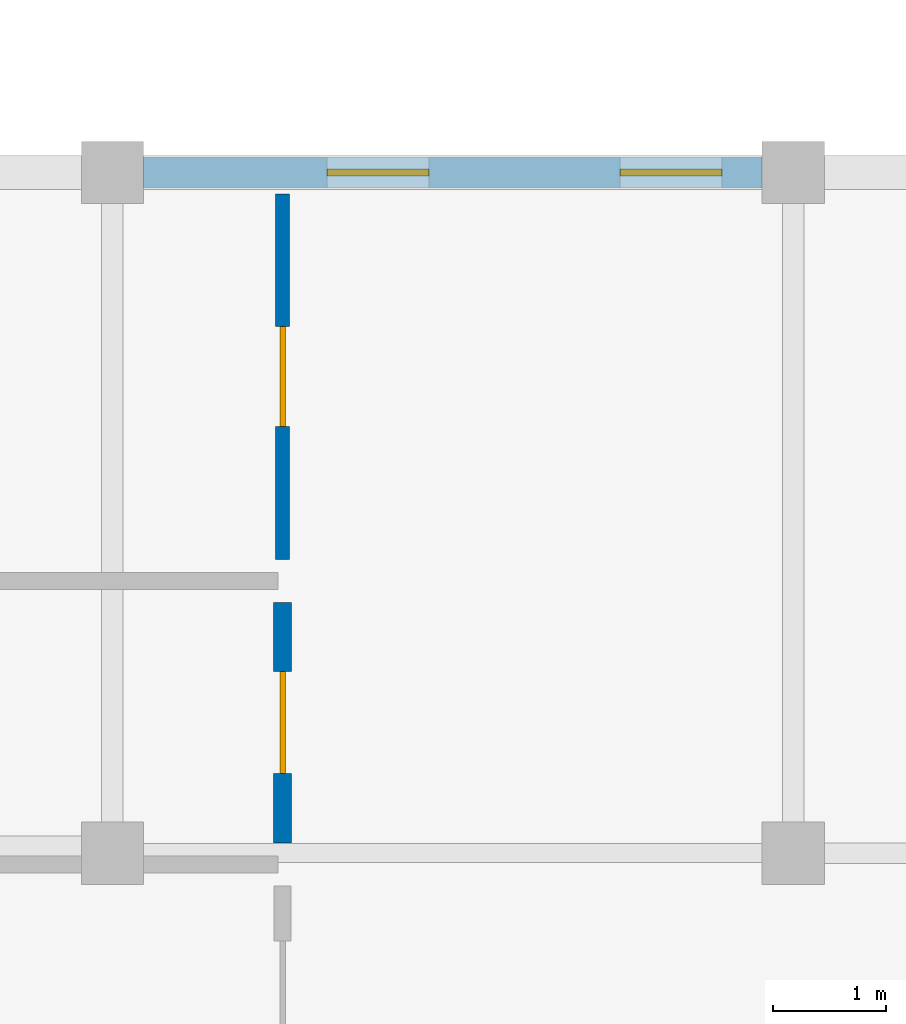
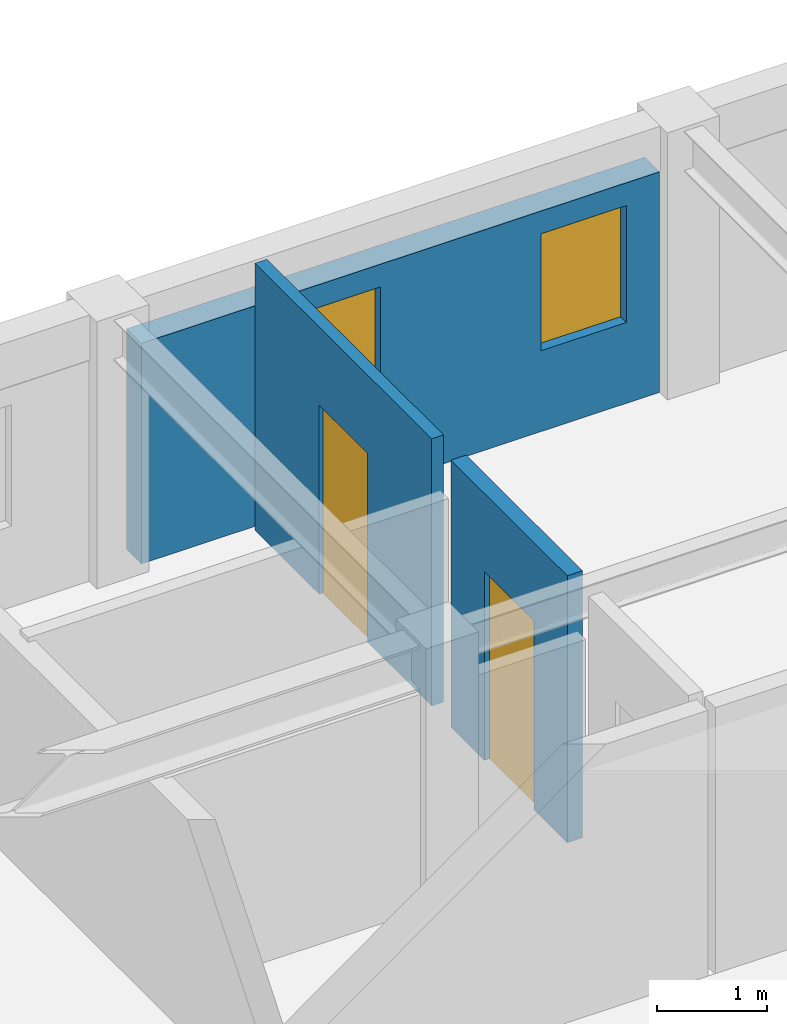
# One storey, part 33 of 58: 3 walls, 2 doors, 2 windows, 4 openings.
"""IFC4 building model written with IfcOpenShell, lengths in metres."""

from ifc_helpers import new_model, si_unit, direction, frame, frame_2d, origin, place, context, subcontext, project, spatial, rectangle, extrude, material, layer, layer_set, type_object, element, fill, save


model = new_model("IFC4")

# Units and contexts
model_context = context("Model", 3, precision=1e-05, world=origin(), true_north=direction((0.0, 1.0)))
body_context = subcontext(model_context, "Body", "Model", "MODEL_VIEW")
ifc_project = project(units=[si_unit("LENGTHUNIT", "METRE"), si_unit("AREAUNIT", "SQUARE_METRE"), si_unit("VOLUMEUNIT", "CUBIC_METRE"), si_unit("PLANEANGLEUNIT", "RADIAN"), si_unit("MASSUNIT", "GRAM", prefix="KILO"), si_unit("POWERUNIT", "WATT"), si_unit("THERMODYNAMICTEMPERATUREUNIT", "KELVIN")], contexts=[model_context])

# Site, building, storey
site_placement = place(None, origin())
site = spatial("IfcSite", under=ifc_project, at=site_placement, CompositionType="ELEMENT")
building_placement = place(site_placement, origin())
building = spatial("IfcBuilding", under=site, at=building_placement, Name="Ruvembo Vaulted Housing Court", CompositionType="ELEMENT")
storey_placement = place(building_placement, frame((0.0, 0.0, 20.5)))
storey = spatial("IfcBuildingStorey", under=building, at=storey_placement, Name="L06", CompositionType="ELEMENT", Elevation=20.5)

# Wall, openings, windows
ifc_material_1 = material(Name="Rendered Masonry 270", Category="masonry")
ifc_layer_1 = layer(ifc_material_1, 0.27001953125, Name="Rendered Masonry 270")
ifc_layer_set_1 = layer_set([ifc_layer_1], Name="Rendered Masonry 270")
wall_type_1 = type_object("IfcWallType", Name="WL-EXT-270", PredefinedType="STANDARD", material=ifc_layer_set_1)
wall_1_placement = place(storey_placement, frame((125.72509765625, 30.0, 0.0), z_axis=(0.0, 0.0, 1.0), x_axis=(-1.0, 0.0, 0.0)))
wall_1 = element("IfcWall", 1, at=wall_1_placement, inside=storey, type_object=wall_type_1, Name="Block C L06 Exterior Wall COURTYARD #2", PredefinedType="STANDARD", context=body_context, shape_type="SweptSolid", body=[
    extrude(rectangle(XDim=5.4501953125, YDim=0.27001953125, at=frame_2d((2.72509765625, 0.0))), origin(), (0.0, 0.0, 1.0), 2.451904296875),
])
opening_1_placement = place(wall_1_placement, frame((0.35009765625, 0.0, 0.89990234375)))
opening_1 = element("IfcOpeningElement", 2, at=opening_1_placement, cuts=wall_1, Name="Opening W04", PredefinedType="OPENING", context=body_context, shape_type="SweptSolid", body=[
    extrude(rectangle(XDim=0.89990234375, YDim=1.300048828125, at=frame_2d((0.449951171875, 0.64990234375))), frame((0.0, 0.14501953125, 0.0), z_axis=(0.0, -1.0, 0.0), x_axis=(1.0, 0.0, 0.0)), (0.0, 0.0, 1.0), 0.2900390625),
])
opening_2_placement = place(wall_1_placement, frame((2.93505859375, 0.0, 0.89990234375)))
opening_2 = element("IfcOpeningElement", 3, at=opening_2_placement, cuts=wall_1, Name="Opening W04", PredefinedType="OPENING", context=body_context, shape_type="SweptSolid", body=[
    extrude(rectangle(XDim=0.89990234375, YDim=1.300048828125, at=frame_2d((0.449951171875, 0.64990234375))), frame((0.0, 0.14501953125, 0.0), z_axis=(0.0, -1.0, 0.0), x_axis=(1.0, 0.0, 0.0)), (0.0, 0.0, 1.0), 0.2900390625),
])
ifc_material_2 = material(Name="Double Solar-Control Glazing in Aluminium Frame", Category="aluminium")
window_type = type_object("IfcWindowType", Name="WIN-0900x1300", PartitioningType="SINGLE_PANEL", PredefinedType="WINDOW", material=ifc_material_2)
window_1_placement = place(opening_1_placement, origin())
window_1 = element("IfcWindow", 4, at=window_1_placement, inside=storey, type_object=window_type, Name="Block C L06 Window #1346", OverallHeight=1.300048828125, OverallWidth=0.89990234375, PartitioningType="SINGLE_PANEL", PredefinedType="WINDOW", context=body_context, shape_type="SweptSolid", body=[
    extrude(rectangle(XDim=0.89990234375, YDim=1.300048828125, at=frame_2d((0.449951171875, 0.64990234375))), frame((0.0, 0.030029296875, 0.0), z_axis=(0.0, -1.0, 0.0), x_axis=(1.0, 0.0, 0.0)), (0.0, 0.0, 1.0), 0.06005859375),
])
fill(opening_1, window_1)
window_2_placement = place(opening_2_placement, origin())
window_2 = element("IfcWindow", 5, at=window_2_placement, inside=storey, type_object=window_type, Name="Block C L06 Window #1347", OverallHeight=1.300048828125, OverallWidth=0.89990234375, PartitioningType="SINGLE_PANEL", PredefinedType="WINDOW", context=body_context, shape_type="SweptSolid", body=[
    extrude(rectangle(XDim=0.89990234375, YDim=1.300048828125, at=frame_2d((0.449951171875, 0.64990234375))), frame((0.0, 0.030029296875, 0.0), z_axis=(0.0, -1.0, 0.0), x_axis=(1.0, 0.0, 0.0)), (0.0, 0.0, 1.0), 0.06005859375),
])
fill(opening_2, window_2)

# Wall, opening, door
ifc_material_3 = material(Name="Plasterboard Stud Partition 125", Category="gypsum")
ifc_layer_2 = layer(ifc_material_3, 0.125, Name="Plasterboard Stud Partition 125")
ifc_layer_set_2 = layer_set([ifc_layer_2], Name="Plasterboard Stud Partition 125")
wall_type_2 = type_object("IfcWallType", Name="WL-PART-125", PredefinedType="PARTITIONING", material=ifc_layer_set_2)
wall_2_placement = place(storey_placement, frame((121.5, 26.590087890625, 0.0), z_axis=(0.0, 0.0, 1.0), x_axis=(0.0, 1.0, 0.0)))
wall_2 = element("IfcWall", 6, at=wall_2_placement, inside=storey, type_object=wall_type_2, Name="L06 Flat C-L06-N2 Bedroom 1 WL-INT-L06-01813", PredefinedType="PARTITIONING", context=body_context, shape_type="SweptSolid", body=[
    extrude(rectangle(XDim=3.219970703125, YDim=0.125, at=frame_2d((1.60986328125, 0.0))), origin(), (0.0, 0.0, 1.0), 2.969970703125),
])
opening_3_placement = place(wall_2_placement, frame((1.169921875, 0.0, 0.0)))
opening_3 = element("IfcOpeningElement", 7, at=opening_3_placement, cuts=wall_2, Name="Opening ID3", PredefinedType="OPENING", context=body_context, shape_type="SweptSolid", body=[
    extrude(rectangle(XDim=0.8798828125, YDim=2.10009765625, at=frame_2d((0.43994140625, 1.050048828125))), frame((0.0, 0.072509765625, 0.0), z_axis=(0.0, -1.0, 0.0), x_axis=(1.0, 0.0, 0.0)), (0.0, 0.0, 1.0), 0.14501953125),
])
ifc_material_4 = material(Name="FSC Hardwood and Engineered Timber", Category="wood")
door_type_1 = type_object("IfcDoorType", Name="DR-ROOM-0880x2100", OperationType="NOTDEFINED", PredefinedType="DOOR", material=ifc_material_4)
door_1_placement = place(opening_3_placement, origin())
door_1 = element("IfcDoor", 8, at=door_1_placement, inside=storey, type_object=door_type_1, Name="L06 Flat C-L06-N2 Bedroom 1 Door DR-INT-L06-01023", OperationType="SINGLE_SWING_LEFT", OverallHeight=2.10009765625, OverallWidth=0.8798828125, PredefinedType="DOOR", context=body_context, shape_type="SweptSolid", body=[
    extrude(rectangle(XDim=0.8798828125, YDim=2.10009765625, at=frame_2d((0.43994140625, 1.050048828125))), frame((0.0, 0.02490234375, 0.0), z_axis=(0.0, -1.0, 0.0), x_axis=(1.0, 0.0, 0.0)), (0.0, 0.0, 1.0), 0.050048828125),
])
fill(opening_3, door_1)

ifc_material_5 = material(Name="Acoustic Service Chase Wall 160", Category="gypsum")
ifc_layer_3 = layer(ifc_material_5, 0.159912109375, Name="Acoustic Service Chase Wall 160")
ifc_layer_set_3 = layer_set([ifc_layer_3], Name="Acoustic Service Chase Wall 160")
wall_type_3 = type_object("IfcWallType", Name="WL-PLUMB-160", PredefinedType="PLUMBINGWALL", material=ifc_layer_set_3)
wall_3_placement = place(storey_placement, frame((121.5, 24.090087890625, 0.0), z_axis=(0.0, 0.0, 1.0), x_axis=(0.0, 1.0, 0.0)))
wall_3 = element("IfcWall", 9, at=wall_3_placement, inside=storey, type_object=wall_type_3, Name="L06 Flat C-L06-N2 Kitchen WL-INT-L06-01814", PredefinedType="PLUMBINGWALL", context=body_context, shape_type="SweptSolid", body=[
    extrude(rectangle(XDim=2.119873046875, YDim=0.159912109375, at=frame_2d((1.06005859375, 0.0))), origin(), (0.0, 0.0, 1.0), 2.969970703125),
])
opening_4_placement = place(wall_3_placement, frame((0.610107421875, 0.0, 0.0)))
opening_4 = element("IfcOpeningElement", 10, at=opening_4_placement, cuts=wall_3, Name="Opening ID1", PredefinedType="OPENING", context=body_context, shape_type="SweptSolid", body=[
    extrude(rectangle(XDim=0.89990234375, YDim=2.10009765625, at=frame_2d((0.449951171875, 1.050048828125))), frame((0.0, 0.08984375, 0.0), z_axis=(0.0, -1.0, 0.0), x_axis=(1.0, 0.0, 0.0)), (0.0, 0.0, 1.0), 0.179931640625),
])
door_type_2 = type_object("IfcDoorType", Name="DR-ROOM-0900x2100", OperationType="NOTDEFINED", PredefinedType="DOOR", material=ifc_material_4)
door_2_placement = place(opening_4_placement, origin())
door_2 = element("IfcDoor", 11, at=door_2_placement, inside=storey, type_object=door_type_2, Name="L06 Flat C-L06-N2 Kitchen Door DR-INT-L06-01024", OperationType="SINGLE_SWING_RIGHT", OverallHeight=2.10009765625, OverallWidth=0.89990234375, PredefinedType="DOOR", context=body_context, shape_type="SweptSolid", body=[
    extrude(rectangle(XDim=0.89990234375, YDim=2.10009765625, at=frame_2d((0.449951171875, 1.050048828125))), frame((0.0, 0.02490234375, 0.0), z_axis=(0.0, -1.0, 0.0), x_axis=(1.0, 0.0, 0.0)), (0.0, 0.0, 1.0), 0.050048828125),
])
fill(opening_4, door_2)

save(model, "model.ifc")
